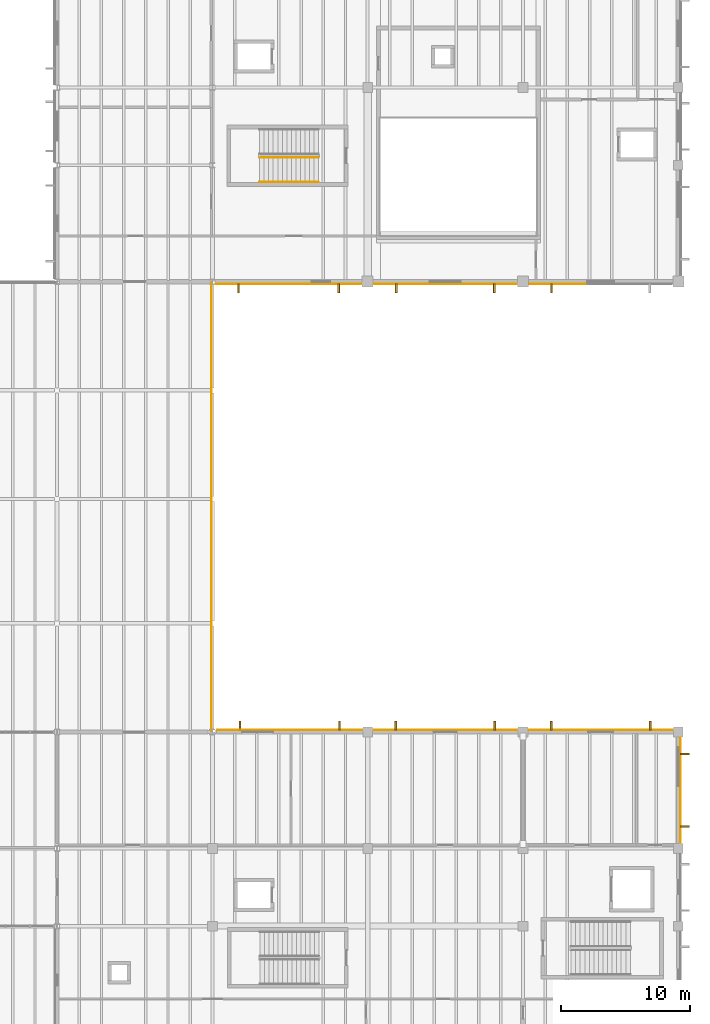
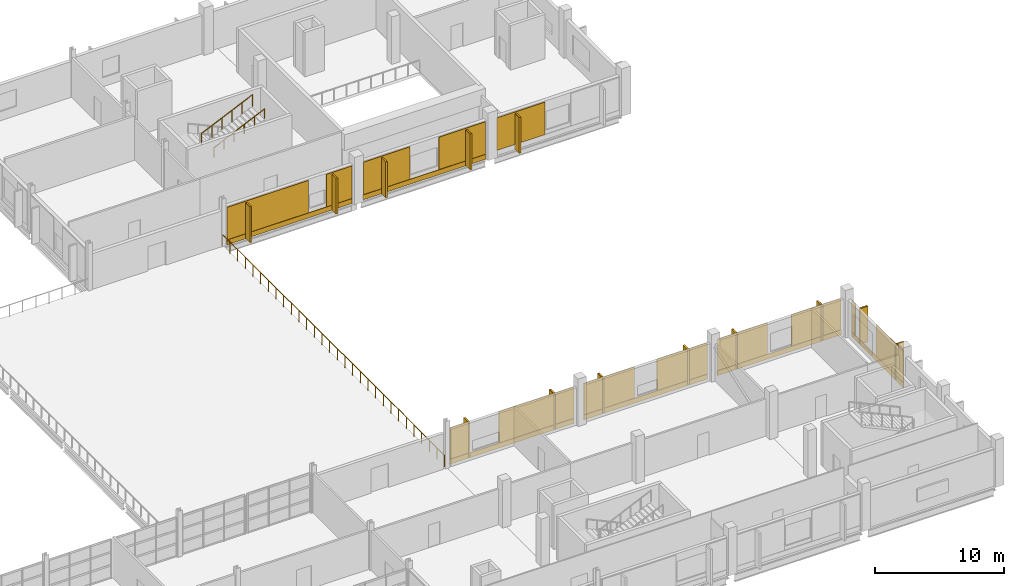
# One storey, part 76 of 78: 32 coverings, 13 shading devices, 3 railings.
"""IFC4 building model written with IfcOpenShell, lengths in metres."""

import ifcopenshell
import ifcopenshell.guid

model = None  # the IFC model being written
_history = None  # IfcOwnerHistory: only IFC2X3 demands one
_inside = {}  # id of a spatial element -> (the spatial element, [elements in it])
_under = {}  # id of a project, library or spatial element -> (it, [spatial elements below it])
_declared = {}  # id of a project -> (the project, [libraries it declares])
_typed = {}  # id of a type object -> (the type object, [elements of that type])
_made_of = {}  # id of a material, layer set ... -> (it, [elements and type objects made of it])


def new_model(schema):
    """Start an empty IFC model of exactly this schema.

    Asked for "IFC4X3", IfcOpenShell would pick the latest addendum, in which some entities
    have other attributes; the version numbers below select the first issue.
    IFC2X3 requires an IfcOwnerHistory on every rooted entity: one is made here for all.
    """
    global model, _history
    if schema == "IFC4X3":
        model = ifcopenshell.file(schema_version=(4, 3, 0, 0))
    else:
        model = ifcopenshell.file(schema=schema)
    _inside.clear()
    _under.clear()
    _declared.clear()
    _typed.clear()
    _made_of.clear()
    _history = None
    if model.schema == "IFC2X3":
        org = make("IfcOrganization", Name="unknown")
        user = make(
            "IfcPersonAndOrganization",
            ThePerson=make("IfcPerson", FamilyName="unknown"),
            TheOrganization=org,
        )
        app = make(
            "IfcApplication",
            ApplicationDeveloper=org,
            Version="unknown",
            ApplicationFullName="unknown",
            ApplicationIdentifier="unknown",
        )
        _history = make(
            "IfcOwnerHistory",
            OwningUser=user,
            OwningApplication=app,
            ChangeAction="ADDED",
            CreationDate=0,
        )
    return model


def make(cls, **values):
    """One entity of the class cls with the attributes given. An attribute that is None is left unset."""
    return model.create_entity(
        cls, **{name: value for name, value in values.items() if value is not None}
    )


def rooted(cls, **values):
    """An entity with a GlobalId (a new one), such as an element, a storey or a relation."""
    return make(cls, GlobalId=ifcopenshell.guid.new(), OwnerHistory=_history, **values)


def si_unit(unit_type, name, prefix=None):
    """IfcSIUnit, for example si_unit("LENGTHUNIT", "METRE", prefix="MILLI")."""
    return make("IfcSIUnit", UnitType=unit_type, Prefix=prefix, Name=name)


def assignment(units):
    """IfcUnitAssignment: the units of a project."""
    return None if units is None else make("IfcUnitAssignment", Units=units)


def point(xyz):
    """IfcCartesianPoint."""
    return None if xyz is None else make("IfcCartesianPoint", Coordinates=xyz)


def direction(xyz):
    """IfcDirection."""
    return None if xyz is None else make("IfcDirection", DirectionRatios=xyz)


def frame(location, z_axis=None, x_axis=None):
    """IfcAxis2Placement3D, a coordinate frame: its origin and axes. An axis left out is left unset."""
    return make(
        "IfcAxis2Placement3D",
        Location=point(location),
        Axis=direction(z_axis),
        RefDirection=direction(x_axis),
    )


def frame_2d(location, x_axis=None):
    """IfcAxis2Placement2D, a coordinate frame in the plane: its origin and x axis."""
    return make(
        "IfcAxis2Placement2D", Location=point(location), RefDirection=direction(x_axis)
    )


def origin():
    """The frame at (0, 0, 0) with its axes left unset."""
    return frame((0.0, 0.0, 0.0))


def origin_2d():
    """The frame at (0, 0) in the plane with its x axis left unset."""
    return frame_2d((0.0, 0.0))


def place(relative_to, where):
    """IfcLocalPlacement: puts the frame where relative to a parent placement (None: the world)."""
    return make(
        "IfcLocalPlacement", PlacementRelTo=relative_to, RelativePlacement=where
    )


def context(
    kind, dimensions, precision=None, world=None, true_north=None, identifier=None
):
    """IfcGeometricRepresentationContext, for example the 3D "Model" context."""
    return make(
        "IfcGeometricRepresentationContext",
        ContextIdentifier=identifier,
        ContextType=kind,
        CoordinateSpaceDimension=dimensions,
        Precision=precision,
        WorldCoordinateSystem=world,
        TrueNorth=true_north,
    )


def subcontext(parent, identifier, kind, view, scale=None):
    """IfcGeometricRepresentationSubContext, for example "Body" below "Model"."""
    return make(
        "IfcGeometricRepresentationSubContext",
        ContextIdentifier=identifier,
        ContextType=kind,
        ParentContext=parent,
        TargetScale=scale,
        TargetView=view,
    )


def project(units=None, contexts=None):
    """IfcProject with its units and contexts."""
    return rooted(
        "IfcProject",
        Name="project",
        RepresentationContexts=contexts,
        UnitsInContext=assignment(units),
    )


def spatial(cls, under=None, at=None, **own):
    """A site, building, storey or space (cls), placed at a placement, below another one or the project."""
    s = rooted(cls, ObjectPlacement=at, **own)
    if under is not None:
        _under.setdefault(under.id(), (under, []))[1].append(s)
    return s


def profile(cls, at=None, kind="AREA", **sizes):
    """A parametric profile (cls). Its sizes go by their IFC names, for example OverallWidth=200.0."""
    return make(cls, ProfileType=kind, Position=at, **sizes)


def rectangle(**sizes):
    """IfcRectangleProfileDef."""
    return profile("IfcRectangleProfileDef", **sizes)


def circle(**sizes):
    """IfcCircleProfileDef."""
    return profile("IfcCircleProfileDef", **sizes)


def extrude(swept, where, along, depth):
    """IfcExtrudedAreaSolid: the profile swept, set in the frame where, extruded along a direction by depth."""
    return make(
        "IfcExtrudedAreaSolid",
        SweptArea=swept,
        Position=where,
        ExtrudedDirection=direction(along),
        Depth=depth,
    )


def shape(context_of_items, identifier, shape_type, items):
    """IfcShapeRepresentation: the items that make up one representation, for example the "Body"."""
    return make(
        "IfcShapeRepresentation",
        ContextOfItems=context_of_items,
        RepresentationIdentifier=identifier,
        RepresentationType=shape_type,
        Items=items,
    )


def material(Name=None, Category=None):
    """IfcMaterial."""
    return make("IfcMaterial", Name=Name, Category=Category)


def layer(
    of_material, thickness, ventilated=None, Name=None, Category=None, Priority=None
):
    """IfcMaterialLayer: one layer of a wall or slab, of a material (None: an air gap)."""
    return make(
        "IfcMaterialLayer",
        Material=of_material,
        LayerThickness=thickness,
        IsVentilated=ventilated,
        Name=Name,
        Category=Category,
        Priority=Priority,
    )


def layer_set(layers, Name=None):
    """IfcMaterialLayerSet."""
    return make("IfcMaterialLayerSet", MaterialLayers=layers, LayerSetName=Name)


def made_of(thing, what):
    """Note that an element or type object is made of a material, layer set ...; save() writes the relation."""
    if what is not None:
        _made_of.setdefault(what.id(), (what, []))[1].append(thing)
    return thing


def type_object(cls, material=None, **own):
    """A type object (cls), such as IfcWallType, which elements share."""
    return made_of(rooted(cls, **own), material)


def element(
    cls,
    number,
    at=None,
    inside=None,
    cuts=None,
    type_object=None,
    material=None,
    context=None,
    identifier="Body",
    shape_type=None,
    held_by="IfcProductDefinitionShape",
    body=None,
    shapes=None,
    **own,
):
    """One element of the class cls, such as IfcWall. Its Tag is "e" and its number.

    at: its placement. inside: the storey or other place that contains it. cuts: it is an
    opening in that element (IfcRelVoidsElement). A single representation is given by context,
    identifier, shape_type and body (its items); several are given by shapes. held_by: the class
    of the entity that holds the representations. save() writes the other relations.
    """
    e = rooted(cls, Tag="e%d" % number, ObjectPlacement=at, **own)
    if body is not None:
        shapes = [shape(context, identifier, shape_type, body)]
    if shapes is not None:
        e.Representation = make(held_by, Representations=shapes)
    if inside is not None:
        _inside.setdefault(inside.id(), (inside, []))[1].append(e)
    if cuts is not None:
        rooted(
            "IfcRelVoidsElement", RelatingBuildingElement=cuts, RelatedOpeningElement=e
        )
    if type_object is not None:
        _typed.setdefault(type_object.id(), (type_object, []))[1].append(e)
    return made_of(e, material)


def aggregate(whole, parts):
    """IfcRelAggregates: a whole, such as a stair, and the parts it consists of."""
    return rooted("IfcRelAggregates", RelatingObject=whole, RelatedObjects=parts)


def save(model, path):
    """Write the relations noted so far, then the file.

    IfcRelAggregates (storeys below a building ...), IfcRelContainedInSpatialStructure (elements
    in a storey), IfcRelDefinesByType, IfcRelAssociatesMaterial and IfcRelDeclares: one each for
    every whole, place, type object, material and project.
    """
    for whole, parts in _under.values():
        aggregate(whole, parts)
    for where, things in _inside.values():
        rooted(
            "IfcRelContainedInSpatialStructure",
            RelatedElements=things,
            RelatingStructure=where,
        )
    for kind, things in _typed.values():
        rooted("IfcRelDefinesByType", RelatedObjects=things, RelatingType=kind)
    for what, things in _made_of.values():
        rooted("IfcRelAssociatesMaterial", RelatedObjects=things, RelatingMaterial=what)
    for by, libraries in _declared.values():
        rooted("IfcRelDeclares", RelatingContext=by, RelatedDefinitions=libraries)
    model.write(path)


model = new_model("IFC4")

# Units and contexts
model_context = context("Model", 3, precision=1e-05, world=origin(), true_north=direction((0.0, 1.0)))
body_context = subcontext(model_context, "Body", "Model", "MODEL_VIEW")
ifc_project = project(units=[si_unit("LENGTHUNIT", "METRE"), si_unit("AREAUNIT", "SQUARE_METRE"), si_unit("VOLUMEUNIT", "CUBIC_METRE"), si_unit("PLANEANGLEUNIT", "RADIAN"), si_unit("MASSUNIT", "GRAM", prefix="KILO")], contexts=[model_context])

# Site, building, storey
site_placement = place(None, origin())
site = spatial("IfcSite", under=ifc_project, at=site_placement, CompositionType="ELEMENT")
building_placement = place(site_placement, origin())
building = spatial("IfcBuilding", under=site, at=building_placement, Name="Kelmvaro Bay Concert Hall", CompositionType="ELEMENT")
storey_placement = place(building_placement, frame((0.0, 0.0, 9.300048828125)))
storey = spatial("IfcBuildingStorey", under=building, at=storey_placement, Name="L02", CompositionType="ELEMENT", Elevation=9.300048828125)

# Shading devices
ifc_material_1 = material(Name="Anodised Extruded Aluminium 6063-T6", Category="aluminium")
ifc_layer_1 = layer(ifc_material_1, 3.39990234375)
ifc_layer_set_1 = layer_set([ifc_layer_1], Name="Anodised Extruded Aluminium 6063-T6")
shading_device_type = type_object("IfcShadingDeviceType", Name="Bauhaus Vertical Solar Brise-Soleil Fin 720x3400", PredefinedType="SHUTTER", material=ifc_layer_set_1)
for number, where, z_axis, x_axis, name in (
    (1, (141.755126953125, 73.283935546875, 0.06005859375), (0.0, 0.0, 1.0), (-1.0, 0.0, 0.0), "L02 Solar Brise-Soleil Fin 065"),
    (2, (134.0205078125, 73.283935546875, 0.06005859375), (0.0, 0.0, 1.0), (-1.0, 0.0, 0.0), "L02 Solar Brise-Soleil Fin 066"),
    (3, (153.791015625, 73.283935546875, 0.06005859375), (0.0, 0.0, 1.0), (-1.0, 0.0, 0.0), "L02 Solar Brise-Soleil Fin 067"),
    (4, (146.208984375, 73.283935546875, 0.06005859375), (0.0, 0.0, 1.0), (-1.0, 0.0, 0.0), "L02 Solar Brise-Soleil Fin 068"),
    (5, (158.208984375, 73.283935546875, 0.06005859375), (0.0, 0.0, 1.0), (-1.0, 0.0, 0.0), "L02 Solar Brise-Soleil Fin 070"),
    (6, (134.133056640625, 39.49609375, 0.06005859375), (0.0, 0.0, 1.0), (1.0, 0.0, 0.0), "L02 Solar Brise-Soleil Fin 155"),
    (7, (141.81689453125, 39.49609375, 0.06005859375), (0.0, 0.0, 1.0), (1.0, 0.0, 0.0), "L02 Solar Brise-Soleil Fin 156"),
    (8, (146.175048828125, 39.49609375, 0.06005859375), (0.0, 0.0, 1.0), (1.0, 0.0, 0.0), "L02 Solar Brise-Soleil Fin 157"),
    (9, (153.824951171875, 39.49609375, 0.06005859375), (0.0, 0.0, 1.0), (1.0, 0.0, 0.0), "L02 Solar Brise-Soleil Fin 158"),
    (10, (158.175048828125, 39.49609375, 0.06005859375), (0.0, 0.0, 1.0), (1.0, 0.0, 0.0), "L02 Solar Brise-Soleil Fin 159"),
    (11, (165.824951171875, 39.49609375, 0.06005859375), (0.0, 0.0, 1.0), (1.0, 0.0, 0.0), "L02 Solar Brise-Soleil Fin 160"),
    (12, (168.49609375, 37.304931640625, 0.06005859375), (0.0, 0.0, 1.0), (0.0, -1.0, 0.0), "L02 Solar Brise-Soleil Fin 165"),
    (13, (168.49609375, 31.695068359375, 0.06005859375), (0.0, 0.0, 1.0), (0.0, -1.0, 0.0), "L02 Solar Brise-Soleil Fin 166"),
):
    element("IfcShadingDevice", number, at=place(storey_placement, frame(where, z_axis=z_axis, x_axis=x_axis)), inside=storey, type_object=shading_device_type, Name=name, PredefinedType="SHUTTER", context=body_context, shape_type="SweptSolid", body=[
        extrude(rectangle(XDim=0.159912109375, YDim=0.719970703125, at=origin_2d()), origin(), (0.0, 0.0, 1.0), 3.39990234375),
    ])

# Coverings
ifc_material_2 = material(Name="PVDF-Coated Architectural Aluminium", Category="aluminium")
ifc_layer_2 = layer(ifc_material_2, 0.0400390625)
ifc_layer_set_2 = layer_set([ifc_layer_2], Name="PVDF-Coated Architectural Aluminium")
covering_type_1 = type_object("IfcCoveringType", Name="De Stijl Enamelled Aluminium Fascia Panel 40", PredefinedType="CLADDING", material=ifc_layer_set_2)
for number, where, z_axis, x_axis, name in (
    (14, (141.755126953125, 73.283935546875, 0.06005859375), (0.0, 0.0, 1.0), (-1.0, 0.0, 0.0), "L02 Architectural Vertical Fin Cladding 0366"),
    (15, (134.0205078125, 73.283935546875, 0.06005859375), (0.0, 0.0, 1.0), (-1.0, 0.0, 0.0), "L02 Architectural Vertical Fin Cladding 0367"),
    (16, (153.791015625, 73.283935546875, 0.06005859375), (0.0, 0.0, 1.0), (-1.0, 0.0, 0.0), "L02 Architectural Vertical Fin Cladding 0371"),
    (17, (146.208984375, 73.283935546875, 0.06005859375), (0.0, 0.0, 1.0), (-1.0, 0.0, 0.0), "L02 Architectural Vertical Fin Cladding 0372"),
    (18, (158.208984375, 73.283935546875, 0.06005859375), (0.0, 0.0, 1.0), (-1.0, 0.0, 0.0), "L02 Architectural Vertical Fin Cladding 0377"),
    (19, (134.133056640625, 39.49609375, 0.06005859375), (0.0, 0.0, 1.0), (1.0, 0.0, 0.0), "L02 Architectural Vertical Fin Cladding 0765"),
    (20, (141.81689453125, 39.49609375, 0.06005859375), (0.0, 0.0, 1.0), (1.0, 0.0, 0.0), "L02 Architectural Vertical Fin Cladding 0766"),
    (21, (146.175048828125, 39.49609375, 0.06005859375), (0.0, 0.0, 1.0), (1.0, 0.0, 0.0), "L02 Architectural Vertical Fin Cladding 0770"),
    (22, (153.824951171875, 39.49609375, 0.06005859375), (0.0, 0.0, 1.0), (1.0, 0.0, 0.0), "L02 Architectural Vertical Fin Cladding 0771"),
    (23, (158.175048828125, 39.49609375, 0.06005859375), (0.0, 0.0, 1.0), (1.0, 0.0, 0.0), "L02 Architectural Vertical Fin Cladding 0775"),
    (24, (165.824951171875, 39.49609375, 0.06005859375), (0.0, 0.0, 1.0), (1.0, 0.0, 0.0), "L02 Architectural Vertical Fin Cladding 0776"),
    (25, (168.49609375, 37.304931640625, 0.06005859375), (0.0, 0.0, 1.0), (0.0, -1.0, 0.0), "L02 Architectural Vertical Fin Cladding 0793"),
    (26, (168.49609375, 31.695068359375, 0.06005859375), (0.0, 0.0, 1.0), (0.0, -1.0, 0.0), "L02 Architectural Vertical Fin Cladding 0794"),
):
    element("IfcCovering", number, at=place(storey_placement, frame(where, z_axis=z_axis, x_axis=x_axis)), inside=storey, type_object=covering_type_1, Name=name, PredefinedType="CLADDING", context=body_context, shape_type="SweptSolid", body=[
        extrude(rectangle(XDim=0.139892578125, YDim=0.699951171875, at=origin_2d()), origin(), (0.0, 0.0, 1.0), 3.39990234375),
    ])
ifc_material_3 = material(Name="Honed Florida Limestone Travertine", Category="masonry")
ifc_layer_3 = layer(ifc_material_3, 0.054931640625)
ifc_layer_set_3 = layer_set([ifc_layer_3], Name="Honed Florida Limestone Travertine")
covering_type_2 = type_object("IfcCoveringType", Name="Honed Florida Travertine Rainscreen Cladding 55", PredefinedType="CLADDING", material=ifc_layer_set_3)
covering_1_placement = place(storey_placement, frame((137.8876953125, 73.614501953125, 0.0400390625), z_axis=(0.0, 0.0, 1.0), x_axis=(-1.0, 0.0, 0.0)))
element("IfcCovering", 27, at=covering_1_placement, inside=storey, type_object=covering_type_2, Name="L02 Travertine Sill Band 0365", PredefinedType="CLADDING", context=body_context, shape_type="SweptSolid", body=[
    extrude(rectangle(XDim=11.2548828125, YDim=0.054931640625, at=origin_2d()), origin(), (0.0, 0.0, 1.0), 0.4599609375),
])
covering_2_placement = place(storey_placement, frame((142.342529296875, 73.614501953125, 0.52001953125), z_axis=(0.0, 0.0, 1.0), x_axis=(-1.0, 0.0, 0.0)))
element("IfcCovering", 28, at=covering_2_placement, inside=storey, type_object=covering_type_2, Name="L02 Travertine Pier Panel 0368", PredefinedType="CLADDING", context=body_context, shape_type="SweptSolid", body=[
    extrude(rectangle(XDim=2.304931640625, YDim=0.054931640625, at=origin_2d()), origin(), (0.0, 0.0, 1.0), 3.083984375),
])
covering_3_placement = place(storey_placement, frame((135.935302734375, 73.614501953125, 0.52001953125), z_axis=(0.0, 0.0, 1.0), x_axis=(-1.0, 0.0, 0.0)))
element("IfcCovering", 29, at=covering_3_placement, inside=storey, type_object=covering_type_2, Name="L02 Travertine Pier Panel 0369", PredefinedType="CLADDING", context=body_context, shape_type="SweptSolid", body=[
    extrude(rectangle(XDim=7.31005859375, YDim=0.054931640625, at=origin_2d()), origin(), (0.0, 0.0, 1.0), 3.083984375),
])
covering_4_placement = place(storey_placement, frame((150.0, 73.614501953125, 0.0400390625), z_axis=(0.0, 0.0, 1.0), x_axis=(-1.0, 0.0, 0.0)))
element("IfcCovering", 30, at=covering_4_placement, inside=storey, type_object=covering_type_2, Name="L02 Travertine Sill Band 0370", PredefinedType="CLADDING", context=body_context, shape_type="SweptSolid", body=[
    extrude(rectangle(XDim=11.030029296875, YDim=0.054931640625, at=origin_2d()), origin(), (0.0, 0.0, 1.0), 0.4599609375),
])
for number, where, z_axis, x_axis, name in (
    (31, (153.3974609375, 73.614501953125, 0.52001953125), (0.0, 0.0, 1.0), (-1.0, 0.0, 0.0), "L02 Travertine Pier Panel 0373"),
    (32, (146.6025390625, 73.614501953125, 0.52001953125), (0.0, 0.0, 1.0), (-1.0, 0.0, 0.0), "L02 Travertine Pier Panel 0374"),
):
    element("IfcCovering", number, at=place(storey_placement, frame(where, z_axis=z_axis, x_axis=x_axis)), inside=storey, type_object=covering_type_2, Name=name, PredefinedType="CLADDING", context=body_context, shape_type="SweptSolid", body=[
        extrude(rectangle(XDim=4.195068359375, YDim=0.054931640625, at=origin_2d()), origin(), (0.0, 0.0, 1.0), 3.083984375),
    ])
covering_5_placement = place(storey_placement, frame((158.677490234375, 73.614501953125, 0.52001953125), z_axis=(0.0, 0.0, 1.0), x_axis=(-1.0, 0.0, 0.0)))
element("IfcCovering", 33, at=covering_5_placement, inside=storey, type_object=covering_type_2, Name="L02 Travertine Pier Panel 0379", PredefinedType="CLADDING", context=body_context, shape_type="SweptSolid", body=[
    extrude(rectangle(XDim=4.344970703125, YDim=0.054931640625, at=origin_2d()), origin(), (0.0, 0.0, 1.0), 3.083984375),
])
covering_6_placement = place(storey_placement, frame((137.97509765625, 39.16552734375, 0.0400390625), z_axis=(0.0, 0.0, 1.0), x_axis=(1.0, 0.0, 0.0)))
element("IfcCovering", 34, at=covering_6_placement, inside=storey, type_object=covering_type_2, Name="L02 Travertine Sill Band 0764", PredefinedType="CLADDING", context=body_context, shape_type="SweptSolid", body=[
    extrude(rectangle(XDim=11.179931640625, YDim=0.054931640625, at=origin_2d()), origin(), (0.0, 0.0, 1.0), 0.4599609375),
])
covering_7_placement = place(storey_placement, frame((133.297119140625, 39.16552734375, 0.52001953125), z_axis=(0.0, 0.0, 1.0), x_axis=(1.0, 0.0, 0.0)))
element("IfcCovering", 35, at=covering_7_placement, inside=storey, type_object=covering_type_2, Name="L02 Travertine Pier Panel 0767", PredefinedType="CLADDING", context=body_context, shape_type="SweptSolid", body=[
    extrude(rectangle(XDim=1.783935546875, YDim=0.054931640625, at=origin_2d()), origin(), (0.0, 0.0, 1.0), 2.968994140625),
])
covering_8_placement = place(storey_placement, frame((140.1669921875, 39.16552734375, 0.52001953125), z_axis=(0.0, 0.0, 1.0), x_axis=(1.0, 0.0, 0.0)))
element("IfcCovering", 36, at=covering_8_placement, inside=storey, type_object=covering_type_2, Name="L02 Travertine Pier Panel 0768", PredefinedType="CLADDING", context=body_context, shape_type="SweptSolid", body=[
    extrude(rectangle(XDim=6.756103515625, YDim=0.054931640625, at=origin_2d()), origin(), (0.0, 0.0, 1.0), 2.968994140625),
])
covering_9_placement = place(storey_placement, frame((150.0, 39.16552734375, 0.0400390625), z_axis=(0.0, 0.0, 1.0), x_axis=(1.0, 0.0, 0.0)))
element("IfcCovering", 37, at=covering_9_placement, inside=storey, type_object=covering_type_2, Name="L02 Travertine Sill Band 0769", PredefinedType="CLADDING", context=body_context, shape_type="SweptSolid", body=[
    extrude(rectangle(XDim=11.1298828125, YDim=0.054931640625, at=origin_2d()), origin(), (0.0, 0.0, 1.0), 0.4599609375),
])
for number, where, z_axis, x_axis, name in (
    (38, (146.7275390625, 39.16552734375, 0.52001953125), (0.0, 0.0, 1.0), (1.0, 0.0, 0.0), "L02 Travertine Pier Panel 0772"),
    (39, (153.2724609375, 39.16552734375, 0.52001953125), (0.0, 0.0, 1.0), (1.0, 0.0, 0.0), "L02 Travertine Pier Panel 0773"),
):
    element("IfcCovering", number, at=place(storey_placement, frame(where, z_axis=z_axis, x_axis=x_axis)), inside=storey, type_object=covering_type_2, Name=name, PredefinedType="CLADDING", context=body_context, shape_type="SweptSolid", body=[
        extrude(rectangle(XDim=4.544921875, YDim=0.054931640625, at=origin_2d()), origin(), (0.0, 0.0, 1.0), 2.968994140625),
    ])
covering_10_placement = place(storey_placement, frame((162.0, 39.16552734375, 0.0400390625), z_axis=(0.0, 0.0, 1.0), x_axis=(1.0, 0.0, 0.0)))
element("IfcCovering", 40, at=covering_10_placement, inside=storey, type_object=covering_type_2, Name="L02 Travertine Sill Band 0774", PredefinedType="CLADDING", context=body_context, shape_type="SweptSolid", body=[
    extrude(rectangle(XDim=11.1298828125, YDim=0.054931640625, at=origin_2d()), origin(), (0.0, 0.0, 1.0), 0.4599609375),
])
for number, where, z_axis, x_axis, name in (
    (41, (158.68994140625, 39.16552734375, 0.52001953125), (0.0, 0.0, 1.0), (1.0, 0.0, 0.0), "L02 Travertine Pier Panel 0777"),
    (42, (165.31005859375, 39.16552734375, 0.52001953125), (0.0, 0.0, 1.0), (1.0, 0.0, 0.0), "L02 Travertine Pier Panel 0778"),
):
    element("IfcCovering", number, at=place(storey_placement, frame(where, z_axis=z_axis, x_axis=x_axis)), inside=storey, type_object=covering_type_2, Name=name, PredefinedType="CLADDING", context=body_context, shape_type="SweptSolid", body=[
        extrude(rectangle(XDim=4.469970703125, YDim=0.054931640625, at=origin_2d()), origin(), (0.0, 0.0, 1.0), 2.968994140625),
    ])
covering_11_placement = place(storey_placement, frame((168.16552734375, 34.5, 0.0400390625), z_axis=(0.0, 0.0, 1.0), x_axis=(0.0, -1.0, 0.0)))
element("IfcCovering", 43, at=covering_11_placement, inside=storey, type_object=covering_type_2, Name="L02 Travertine Sill Band 0792", PredefinedType="CLADDING", context=body_context, shape_type="SweptSolid", body=[
    extrude(rectangle(XDim=8.1298828125, YDim=0.054931640625, at=origin_2d()), origin(), (0.0, 0.0, 1.0), 0.4599609375),
])
covering_12_placement = place(storey_placement, frame((168.16552734375, 38.22998046875, 0.52001953125), z_axis=(0.0, 0.0, 1.0), x_axis=(0.0, -1.0, 0.0)))
element("IfcCovering", 44, at=covering_12_placement, inside=storey, type_object=covering_type_2, Name="L02 Travertine Pier Panel 0795", PredefinedType="CLADDING", context=body_context, shape_type="SweptSolid", body=[
    extrude(rectangle(XDim=0.6298828125, YDim=0.054931640625, at=origin_2d()), origin(), (0.0, 0.0, 1.0), 2.968994140625),
])
covering_13_placement = place(storey_placement, frame((168.16552734375, 32.5849609375, 0.52001953125), z_axis=(0.0, 0.0, 1.0), x_axis=(0.0, -1.0, 0.0)))
element("IfcCovering", 45, at=covering_13_placement, inside=storey, type_object=covering_type_2, Name="L02 Travertine Pier Panel 0796", PredefinedType="CLADDING", context=body_context, shape_type="SweptSolid", body=[
    extrude(rectangle(XDim=4.260009765625, YDim=0.054931640625, at=origin_2d()), origin(), (0.0, 0.0, 1.0), 2.968994140625),
])

# Railings
ifc_material_4 = material(Name="Brushed Stainless Steel 316", Category="steel")
railing_type_1 = type_object("IfcRailingType", Name="Stair Stainless Wall Handrail 900", PredefinedType="HANDRAIL", material=ifc_material_4)
railing_1_placement = place(storey_placement, frame((135.64990234375, 81.5, 2.41064453125)))
element("IfcRailing", 46, at=railing_1_placement, inside=storey, type_object=railing_type_1, Name="L02 ST-07 stair handrail 2", PredefinedType="HANDRAIL", context=body_context, shape_type="SweptSolid", body=[
    extrude(circle(Radius=0.02392578125, at=origin_2d()), frame((0.0, 0.0, 0.8759765625), z_axis=(0.908768316152, 0.0, 0.417301027506), x_axis=(0.0, 1.0, 0.0)), (0.0, 0.0, 1.0), 5.0068359375),
    extrude(circle(Radius=0.02099609375, at=origin_2d()), origin(), (0.0, 0.0, 1.0), 0.851806640625),
    extrude(circle(Radius=0.02099609375, at=origin_2d()), frame((0.909912109375, 0.0, 0.41796875)), (0.0, 0.0, 1.0), 0.851806640625),
    extrude(circle(Radius=0.02099609375, at=origin_2d()), frame((1.820068359375, 0.0, 0.835693359375)), (0.0, 0.0, 1.0), 0.851806640625),
    extrude(circle(Radius=0.02099609375, at=origin_2d()), frame((2.72998046875, 0.0, 1.253662109375)), (0.0, 0.0, 1.0), 0.851806640625),
    extrude(circle(Radius=0.02099609375, at=origin_2d()), frame((3.64013671875, 0.0, 1.67138671875)), (0.0, 0.0, 1.0), 0.851806640625),
    extrude(circle(Radius=0.02099609375, at=origin_2d()), frame((4.550048828125, 0.0, 2.08935546875)), (0.0, 0.0, 1.0), 0.851806640625),
])
ifc_material_5 = material(Name="Powder-Coated Steel ASTM A500", Category="steel")
railing_type_2 = type_object("IfcRailingType", Name="Stair Well Painted Steel Guard 1100", PredefinedType="BALUSTRADE", material=ifc_material_5)
railing_2_placement = place(storey_placement, frame((135.64990234375, 83.39990234375, 2.41064453125)))
element("IfcRailing", 47, at=railing_2_placement, inside=storey, type_object=railing_type_2, Name="L02 ST-07 stair guard 3", PredefinedType="BALUSTRADE", context=body_context, shape_type="SweptSolid", body=[
    extrude(circle(Radius=0.02392578125, at=origin_2d()), frame((0.0, 0.0, 1.076171875), z_axis=(0.908768316152, 0.0, 0.417301027506), x_axis=(0.0, 1.0, 0.0)), (0.0, 0.0, 1.0), 5.0068359375),
    extrude(circle(Radius=0.02099609375, at=origin_2d()), origin(), (0.0, 0.0, 1.0), 1.052001953125),
    extrude(circle(Radius=0.02099609375, at=origin_2d()), frame((0.909912109375, 0.0, 0.41796875)), (0.0, 0.0, 1.0), 1.052001953125),
    extrude(circle(Radius=0.02099609375, at=origin_2d()), frame((1.820068359375, 0.0, 0.835693359375)), (0.0, 0.0, 1.0), 1.052001953125),
    extrude(circle(Radius=0.02099609375, at=origin_2d()), frame((2.72998046875, 0.0, 1.253662109375)), (0.0, 0.0, 1.0), 1.052001953125),
    extrude(circle(Radius=0.02099609375, at=origin_2d()), frame((3.64013671875, 0.0, 1.67138671875)), (0.0, 0.0, 1.0), 1.052001953125),
    extrude(circle(Radius=0.02099609375, at=origin_2d()), frame((4.550048828125, 0.0, 2.08935546875)), (0.0, 0.0, 1.0), 1.052001953125),
])
ifc_material_6 = material(Name="Stainless Steel 316 and Laminated Glass", Category="steel")
railing_type_3 = type_object("IfcRailingType", Name="Waterfront Terrace Laminated Glass Guard 1100", PredefinedType="BALUSTRADE", material=ifc_material_6)
railing_3_placement = place(storey_placement, frame((131.919921875, 39.1201171875, 0.0)))
element("IfcRailing", 48, at=railing_3_placement, inside=storey, type_object=railing_type_3, Name="L02 Terrace Guard 008", PredefinedType="BALUSTRADE", context=body_context, shape_type="SweptSolid", body=[
    extrude(circle(Radius=0.02392578125, at=origin_2d()), frame((0.0, 0.0, 1.076171875), z_axis=(0.0, 1.0, 0.0), x_axis=(-1.0, 0.0, 0.0)), (0.0, 0.0, 1.0), 34.599853515625),
    extrude(circle(Radius=0.02099609375, at=origin_2d()), origin(), (0.0, 0.0, 1.0), 1.052001953125),
    extrude(circle(Radius=0.02099609375, at=origin_2d()), frame((0.0, 1.193115234375, 0.0)), (0.0, 0.0, 1.0), 1.052001953125),
    extrude(circle(Radius=0.02099609375, at=origin_2d()), frame((0.0, 2.38623046875, 0.0)), (0.0, 0.0, 1.0), 1.052001953125),
    extrude(circle(Radius=0.02099609375, at=origin_2d()), frame((0.0, 3.579345703125, 0.0)), (0.0, 0.0, 1.0), 1.052001953125),
    extrude(circle(Radius=0.02099609375, at=origin_2d()), frame((0.0, 4.7724609375, 0.0)), (0.0, 0.0, 1.0), 1.052001953125),
    extrude(circle(Radius=0.02099609375, at=origin_2d()), frame((0.0, 5.965576171875, 0.0)), (0.0, 0.0, 1.0), 1.052001953125),
    extrude(circle(Radius=0.02099609375, at=origin_2d()), frame((0.0, 7.15869140625, 0.0)), (0.0, 0.0, 1.0), 1.052001953125),
    extrude(circle(Radius=0.02099609375, at=origin_2d()), frame((0.0, 8.351806640625, 0.0)), (0.0, 0.0, 1.0), 1.052001953125),
    extrude(circle(Radius=0.02099609375, at=origin_2d()), frame((0.0, 9.544677734375, 0.0)), (0.0, 0.0, 1.0), 1.052001953125),
    extrude(circle(Radius=0.02099609375, at=origin_2d()), frame((0.0, 10.73779296875, 0.0)), (0.0, 0.0, 1.0), 1.052001953125),
    extrude(circle(Radius=0.02099609375, at=origin_2d()), frame((0.0, 11.930908203125, 0.0)), (0.0, 0.0, 1.0), 1.052001953125),
    extrude(circle(Radius=0.02099609375, at=origin_2d()), frame((0.0, 13.1240234375, 0.0)), (0.0, 0.0, 1.0), 1.052001953125),
    extrude(circle(Radius=0.02099609375, at=origin_2d()), frame((0.0, 14.317138671875, 0.0)), (0.0, 0.0, 1.0), 1.052001953125),
    extrude(circle(Radius=0.02099609375, at=origin_2d()), frame((0.0, 15.51025390625, 0.0)), (0.0, 0.0, 1.0), 1.052001953125),
    extrude(circle(Radius=0.02099609375, at=origin_2d()), frame((0.0, 16.703369140625, 0.0)), (0.0, 0.0, 1.0), 1.052001953125),
    extrude(circle(Radius=0.02099609375, at=origin_2d()), frame((0.0, 17.896484375, 0.0)), (0.0, 0.0, 1.0), 1.052001953125),
    extrude(circle(Radius=0.02099609375, at=origin_2d()), frame((0.0, 19.089599609375, 0.0)), (0.0, 0.0, 1.0), 1.052001953125),
    extrude(circle(Radius=0.02099609375, at=origin_2d()), frame((0.0, 20.28271484375, 0.0)), (0.0, 0.0, 1.0), 1.052001953125),
    extrude(circle(Radius=0.02099609375, at=origin_2d()), frame((0.0, 21.475830078125, 0.0)), (0.0, 0.0, 1.0), 1.052001953125),
    extrude(circle(Radius=0.02099609375, at=origin_2d()), frame((0.0, 22.6689453125, 0.0)), (0.0, 0.0, 1.0), 1.052001953125),
    extrude(circle(Radius=0.02099609375, at=origin_2d()), frame((0.0, 23.862060546875, 0.0)), (0.0, 0.0, 1.0), 1.052001953125),
    extrude(circle(Radius=0.02099609375, at=origin_2d()), frame((0.0, 25.05517578125, 0.0)), (0.0, 0.0, 1.0), 1.052001953125),
    extrude(circle(Radius=0.02099609375, at=origin_2d()), frame((0.0, 26.248046875, 0.0)), (0.0, 0.0, 1.0), 1.052001953125),
    extrude(circle(Radius=0.02099609375, at=origin_2d()), frame((0.0, 27.441162109375, 0.0)), (0.0, 0.0, 1.0), 1.052001953125),
    extrude(circle(Radius=0.02099609375, at=origin_2d()), frame((0.0, 28.63427734375, 0.0)), (0.0, 0.0, 1.0), 1.052001953125),
    extrude(circle(Radius=0.02099609375, at=origin_2d()), frame((0.0, 29.827392578125, 0.0)), (0.0, 0.0, 1.0), 1.052001953125),
    extrude(circle(Radius=0.02099609375, at=origin_2d()), frame((0.0, 31.0205078125, 0.0)), (0.0, 0.0, 1.0), 1.052001953125),
    extrude(circle(Radius=0.02099609375, at=origin_2d()), frame((0.0, 32.213623046875, 0.0)), (0.0, 0.0, 1.0), 1.052001953125),
    extrude(circle(Radius=0.02099609375, at=origin_2d()), frame((0.0, 33.40673828125, 0.0)), (0.0, 0.0, 1.0), 1.052001953125),
    extrude(circle(Radius=0.02099609375, at=origin_2d()), frame((0.0, 34.599853515625, 0.0)), (0.0, 0.0, 1.0), 1.052001953125),
])

save(model, "model.ifc")
